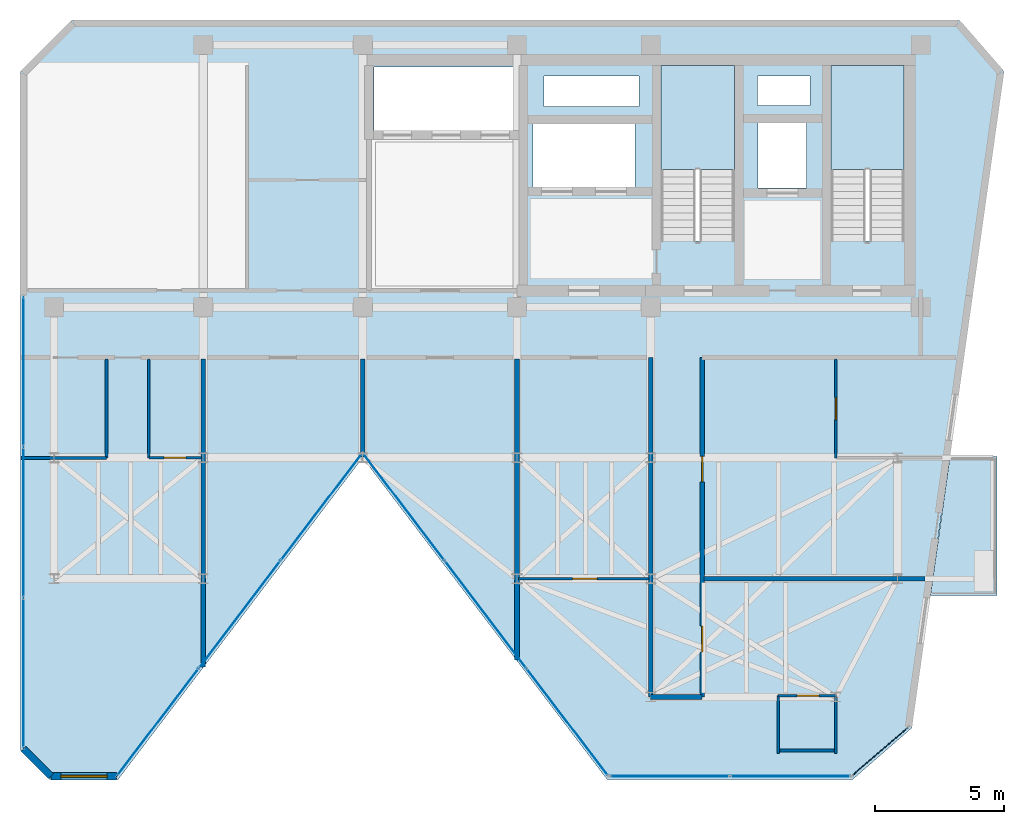
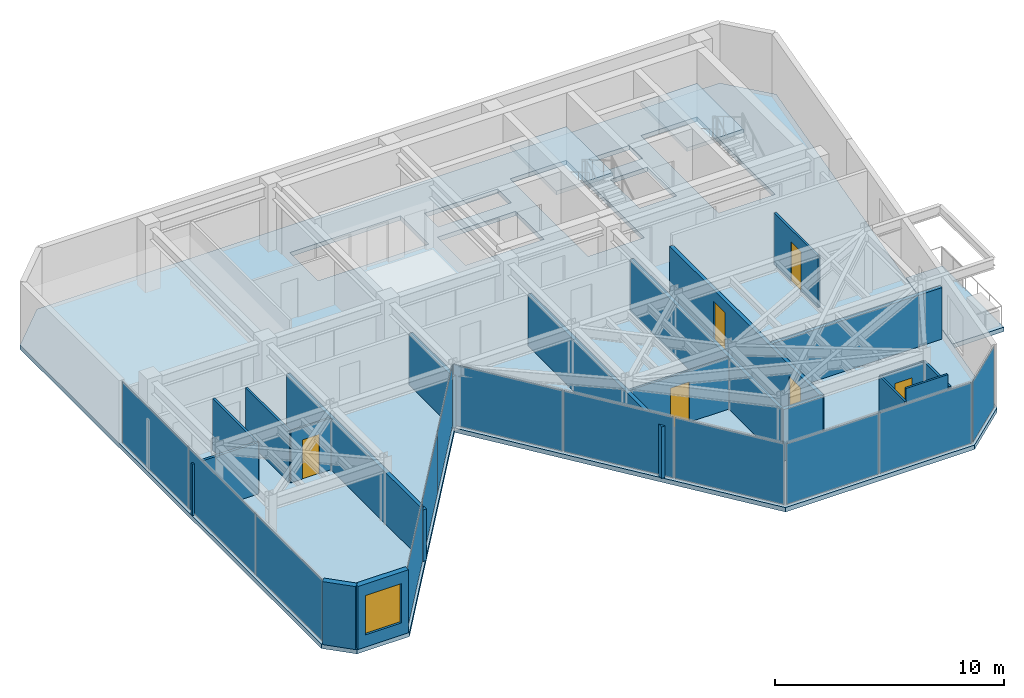
# One storey, part 13 of 17: 19 walls, 12 plates, 6 doors, 4 slabs, 1 window, 7 openings, 7 elements without a shape of their own.
"""IFC4 building model written with IfcOpenShell, lengths in metres."""

from ifc_helpers import new_model, si_unit, direction, frame, frame_2d, origin, origin_2d, place, context, subcontext, project, spatial, polyline, rectangle, outline, extrude, material, layer, layer_set, type_object, element, fill, aggregate, save


model = new_model("IFC4")

# Units and contexts
model_context = context("Model", 3, precision=1e-05, world=origin(), true_north=direction((0.0, 1.0)))
body_context = subcontext(model_context, "Body", "Model", "MODEL_VIEW")
ifc_project = project(units=[si_unit("LENGTHUNIT", "METRE"), si_unit("AREAUNIT", "SQUARE_METRE"), si_unit("VOLUMEUNIT", "CUBIC_METRE"), si_unit("PLANEANGLEUNIT", "RADIAN"), si_unit("MASSUNIT", "GRAM", prefix="KILO")], contexts=[model_context])

# Site, building, storey
site_placement = place(None, origin())
site = spatial("IfcSite", under=ifc_project, at=site_placement, CompositionType="ELEMENT")
building_placement = place(site_placement, origin())
building = spatial("IfcBuilding", under=site, at=building_placement, Name="Kravanh Interchange Tower", CompositionType="ELEMENT")
storey_placement = place(building_placement, frame((0.0, 0.0, 285.89990234375)))
storey = spatial("IfcBuildingStorey", under=building, at=storey_placement, Name="L70", CompositionType="ELEMENT", Elevation=285.89990234375)

# Curtain wall, plates
ifc_material_1 = material(Name="Anodised Bronze Aluminium", Category="aluminium")
ifc_layer_1 = layer(ifc_material_1, 0.179931640625)
ifc_layer_set_1 = layer_set([ifc_layer_1], Name="Unitised Curtain Wall System CW-HTL Luxury Hotel")
curtain_wall_type = type_object("IfcCurtainWallType", Name="Unitised Curtain Wall System CW-HTL Luxury Hotel", PredefinedType="NOTDEFINED", material=ifc_layer_set_1)
curtain_wall_1_placement = place(storey_placement, origin())
curtain_wall_1 = element("IfcCurtainWall", 1, at=curtain_wall_1_placement, inside=storey, type_object=curtain_wall_type, Name="L70 Unitised Curtain Wall CW-L70-01", PredefinedType="NOTDEFINED")
ifc_material_2 = material(Name="Low-E Laminated Architectural Glass", Category="glass")
ifc_layer_2 = layer(ifc_material_2, 0.030029296875)
ifc_layer_set_2 = layer_set([ifc_layer_2], Name="Acoustic Laminated Glazing 30mm")
plate_type = type_object("IfcPlateType", Name="Acoustic Laminated Glazing 30mm", PredefinedType="CURTAIN_PANEL", material=ifc_layer_set_2)
plate_1_placement = place(storey_placement, frame((31.6201171875, 23.1396484375, 0.06005859375), z_axis=(0.0, 0.0, 1.0), x_axis=(0.0, 1.0, 0.0)))
plate_1 = element("IfcPlate", 2, at=plate_1_placement, type_object=plate_type, Name="CW-HTL panel 1.1", PredefinedType="CURTAIN_PANEL", context=body_context, shape_type="SweptSolid", body=[
    extrude(rectangle(XDim=5.780029296875, YDim=0.030029296875, at=origin_2d()), origin(), (0.0, 0.0, 1.0), 3.2451171875),
])
plate_2_placement = place(storey_placement, frame((31.6201171875, 28.994873046875, 0.06005859375), z_axis=(0.0, 0.0, 1.0), x_axis=(0.0, 1.0, 0.0)))
plate_2 = element("IfcPlate", 3, at=plate_2_placement, type_object=plate_type, Name="CW-HTL panel 2.1", PredefinedType="CURTAIN_PANEL", context=body_context, shape_type="SweptSolid", body=[
    extrude(rectangle(XDim=5.81005859375, YDim=0.030029296875, at=origin_2d()), origin(), (0.0, 0.0, 1.0), 3.2451171875),
])
plate_3_placement = place(storey_placement, frame((31.6201171875, 34.849853515625, 0.06005859375), z_axis=(0.0, 0.0, 1.0), x_axis=(0.0, 1.0, 0.0)))
plate_3 = element("IfcPlate", 4, at=plate_3_placement, type_object=plate_type, Name="CW-HTL panel 3.1", PredefinedType="CURTAIN_PANEL", context=body_context, shape_type="SweptSolid", body=[
    extrude(rectangle(XDim=5.780029296875, YDim=0.030029296875, at=origin_2d()), origin(), (0.0, 0.0, 1.0), 3.2451171875),
])
aggregate(curtain_wall_1, [plate_1, plate_2, plate_3])

# Curtain wall, plate
curtain_wall_2_placement = place(storey_placement, origin())
curtain_wall_2 = element("IfcCurtainWall", 5, at=curtain_wall_2_placement, inside=storey, type_object=curtain_wall_type, Name="L70 Unitised Curtain Wall CW-L70-02", PredefinedType="NOTDEFINED")
plate_4_placement = place(storey_placement, frame((64.91455078125, 20.080810546875, 0.06005859375), z_axis=(0.0, 0.0, 1.0), x_axis=(-0.75473192521, -0.656033323139, 0.0)))
plate_4 = element("IfcPlate", 6, at=plate_4_placement, type_object=plate_type, Name="CW-HTL panel 1.1", PredefinedType="CURTAIN_PANEL", context=body_context, shape_type="SweptSolid", body=[
    extrude(rectangle(XDim=2.80908203125, YDim=0.030029296875, at=origin_2d()), origin(), (0.0, 0.0, 1.0), 3.2451171875),
])
aggregate(curtain_wall_2, [plate_4])

# Curtain wall, plates
curtain_wall_3_placement = place(storey_placement, origin())
curtain_wall_3 = element("IfcCurtainWall", 7, at=curtain_wall_3_placement, inside=storey, type_object=curtain_wall_type, Name="L70 Unitised Curtain Wall CW-L70-03", PredefinedType="NOTDEFINED")
plate_5_placement = place(storey_placement, frame((61.431640625, 19.1201171875, 0.06005859375), z_axis=(0.0, 0.0, 1.0), x_axis=(-1.0, 0.0, 0.0)))
plate_5 = element("IfcPlate", 8, at=plate_5_placement, type_object=plate_type, Name="CW-HTL panel 1.1", PredefinedType="CURTAIN_PANEL", context=body_context, shape_type="SweptSolid", body=[
    extrude(rectangle(XDim=4.634765625, YDim=0.030029296875, at=origin_2d()), origin(), (0.0, 0.0, 1.0), 3.2451171875),
])
plate_6_placement = place(storey_placement, frame((56.73681640625, 19.1201171875, 0.06005859375), z_axis=(0.0, 0.0, 1.0), x_axis=(-1.0, 0.0, 0.0)))
plate_6 = element("IfcPlate", 9, at=plate_6_placement, type_object=plate_type, Name="CW-HTL panel 2.1", PredefinedType="CURTAIN_PANEL", context=body_context, shape_type="SweptSolid", body=[
    extrude(rectangle(XDim=4.634765625, YDim=0.030029296875, at=origin_2d()), origin(), (0.0, 0.0, 1.0), 3.2451171875),
])
aggregate(curtain_wall_3, [plate_5, plate_6])

curtain_wall_4_placement = place(storey_placement, origin())
curtain_wall_4 = element("IfcCurtainWall", 10, at=curtain_wall_4_placement, inside=storey, type_object=curtain_wall_type, Name="L70 Unitised Curtain Wall CW-L70-04", PredefinedType="NOTDEFINED")
plate_7_placement = place(storey_placement, frame((52.757080078125, 21.228271484375, 0.06005859375), z_axis=(0.0, 0.0, 1.0), x_axis=(-0.605082946564, 0.79616243806, 0.0)))
plate_7 = element("IfcPlate", 11, at=plate_7_placement, type_object=plate_type, Name="CW-HTL panel 1.1", PredefinedType="CURTAIN_PANEL", context=body_context, shape_type="SweptSolid", body=[
    extrude(rectangle(XDim=5.17626953125, YDim=0.030029296875, at=origin_2d()), origin(), (0.0, 0.0, 1.0), 3.2451171875),
])
plate_8_placement = place(storey_placement, frame((49.579833984375, 25.4091796875, 0.06005859375), z_axis=(0.0, 0.0, 1.0), x_axis=(-0.605082946564, 0.79616243806, 0.0)))
plate_8 = element("IfcPlate", 12, at=plate_8_placement, type_object=plate_type, Name="CW-HTL panel 2.1", PredefinedType="CURTAIN_PANEL", context=body_context, shape_type="SweptSolid", body=[
    extrude(rectangle(XDim=5.206298828125, YDim=0.030029296875, at=origin_2d()), origin(), (0.0, 0.0, 1.0), 3.2451171875),
])
plate_9_placement = place(storey_placement, frame((46.40234375, 29.590087890625, 0.06005859375), z_axis=(0.0, 0.0, 1.0), x_axis=(-0.605082946564, 0.79616243806, 0.0)))
plate_9 = element("IfcPlate", 13, at=plate_9_placement, type_object=plate_type, Name="CW-HTL panel 3.1", PredefinedType="CURTAIN_PANEL", context=body_context, shape_type="SweptSolid", body=[
    extrude(rectangle(XDim=5.17626953125, YDim=0.030029296875, at=origin_2d()), origin(), (0.0, 0.0, 1.0), 3.2451171875),
])
aggregate(curtain_wall_4, [plate_7, plate_8, plate_9])

curtain_wall_5_placement = place(storey_placement, origin())
curtain_wall_5 = element("IfcCurtainWall", 14, at=curtain_wall_5_placement, inside=storey, type_object=curtain_wall_type, Name="L70 Unitised Curtain Wall CW-L70-05", PredefinedType="NOTDEFINED")
plate_10_placement = place(storey_placement, frame((43.19775390625, 29.590087890625, 0.06005859375), z_axis=(0.0, 0.0, 1.0), x_axis=(-0.605082946564, -0.79616243806, 0.0)))
plate_10 = element("IfcPlate", 15, at=plate_10_placement, type_object=plate_type, Name="CW-HTL panel 1.1", PredefinedType="CURTAIN_PANEL", context=body_context, shape_type="SweptSolid", body=[
    extrude(rectangle(XDim=5.17626953125, YDim=0.030029296875, at=origin_2d()), origin(), (0.0, 0.0, 1.0), 3.2451171875),
])
plate_11_placement = place(storey_placement, frame((40.020263671875, 25.4091796875, 0.06005859375), z_axis=(0.0, 0.0, 1.0), x_axis=(-0.605082946564, -0.79616243806, 0.0)))
plate_11 = element("IfcPlate", 16, at=plate_11_placement, type_object=plate_type, Name="CW-HTL panel 2.1", PredefinedType="CURTAIN_PANEL", context=body_context, shape_type="SweptSolid", body=[
    extrude(rectangle(XDim=5.206298828125, YDim=0.030029296875, at=origin_2d()), origin(), (0.0, 0.0, 1.0), 3.2451171875),
])
plate_12_placement = place(storey_placement, frame((36.8427734375, 21.228271484375, 0.06005859375), z_axis=(0.0, 0.0, 1.0), x_axis=(-0.605082946564, -0.79616243806, 0.0)))
plate_12 = element("IfcPlate", 17, at=plate_12_placement, type_object=plate_type, Name="CW-HTL panel 3.1", PredefinedType="CURTAIN_PANEL", context=body_context, shape_type="SweptSolid", body=[
    extrude(rectangle(XDim=5.17626953125, YDim=0.030029296875, at=origin_2d()), origin(), (0.0, 0.0, 1.0), 3.2451171875),
])
aggregate(curtain_wall_5, [plate_10, plate_11, plate_12])

# Slab
ifc_material_3 = material(Name="Concrete C50/60", Category="concrete")
ifc_layer_3 = layer(ifc_material_3, 0.235107421875)
ifc_layer_set_3 = layer_set([ifc_layer_3], Name="Composite Floor Slab Concrete C50/60 235mm")
slab_type_1 = type_object("IfcSlabType", Name="Composite Floor Slab Concrete C50/60 235mm", PredefinedType="FLOOR", material=ifc_layer_set_3)
slab_1_placement = place(storey_placement, frame((0.0, 0.0, -0.23486328125)))
element("IfcSlab", 18, at=slab_1_placement, inside=storey, type_object=slab_type_1, Name="L70 Structural Floor Slab", PredefinedType="FLOOR", context=body_context, shape_type="SweptSolid", body=[
    extrude(outline(polyline([(31.5, 20.139892578125), (32.639892578125, 19.0), (35.300048828125, 19.0), (44.800048828125, 31.5), (54.300048828125, 19.0), (63.85400390625, 19.0), (66.13232421875, 20.98046875), (69.7216796875, 46.51953125), (68.0, 48.5), (33.5, 48.5), (31.5, 46.5), (31.5, 20.139892578125)]), holes=[polyline([(65.85009765625, 39.925048828125), (65.85009765625, 46.75), (63.0, 46.75), (63.0, 39.925048828125), (65.85009765625, 39.925048828125)]), polyline([(59.25, 39.925048828125), (59.25, 46.75), (56.39990234375, 46.75), (56.39990234375, 39.925048828125), (59.25, 39.925048828125)]), polyline([(45.239990234375, 44.219970703125), (50.840087890625, 44.219970703125), (50.840087890625, 46.699951171875), (45.239990234375, 46.699951171875), (45.239990234375, 44.219970703125)]), polyline([(51.419921875, 42.02001953125), (55.3798828125, 42.02001953125), (55.3798828125, 44.47998046875), (51.419921875, 44.47998046875), (51.419921875, 42.02001953125)]), polyline([(60.179931640625, 41.97998046875), (62.06005859375, 41.97998046875), (62.06005859375, 44.52001953125), (60.179931640625, 44.52001953125), (60.179931640625, 41.97998046875)]), polyline([(60.14990234375, 45.199951171875), (62.199951171875, 45.199951171875), (62.199951171875, 46.35009765625), (60.14990234375, 46.35009765625), (60.14990234375, 45.199951171875)]), polyline([(51.85009765625, 45.14990234375), (55.550048828125, 45.14990234375), (55.550048828125, 46.35009765625), (51.85009765625, 46.35009765625), (51.85009765625, 45.14990234375)])]), origin(), (0.0, 0.0, 1.0), 0.23486328125),
])

# Stair, slab
ifc_material_4 = material(Name="Concrete C50/60", Category="concrete")
stair_type = type_object("IfcStairType", Name="Core Fire Exit Dogleg Stair Concrete C50/60", PredefinedType="HALF_TURN_STAIR", material=ifc_material_4)
stair_1_placement = place(storey_placement, origin())
stair_1 = element("IfcStair", 19, at=stair_1_placement, inside=storey, type_object=stair_type, Name="L70 Exit Stair ST1", PredefinedType="HALF_TURN_STAIR")
ifc_material_5 = material(Name="Concrete C50/60", Category="concrete")
ifc_layer_4 = layer(ifc_material_5, 0.199951171875)
ifc_layer_set_4 = layer_set([ifc_layer_4], Name="Concrete C50/60 Stair Half-Landing Slab 200mm")
slab_type_2 = type_object("IfcSlabType", Name="Concrete C50/60 Stair Half-Landing Slab 200mm", PredefinedType="LANDING", material=ifc_layer_set_4)
slab_2_placement = place(storey_placement, frame((0.0, 0.0, 1.60009765625)))
slab_2 = element("IfcSlab", 20, at=slab_2_placement, type_object=slab_type_2, Name="ST1 landing 1", PredefinedType="LANDING", context=body_context, shape_type="SweptSolid", body=[
    extrude(outline(polyline([(65.85009765625, 42.699951171875), (65.85009765625, 46.75), (63.0, 46.75), (63.0, 42.699951171875), (65.85009765625, 42.699951171875)])), origin(), (0.0, 0.0, 1.0), 0.199951171875),
])
aggregate(stair_1, [slab_2])

stair_2_placement = place(storey_placement, origin())
stair_2 = element("IfcStair", 21, at=stair_2_placement, inside=storey, type_object=stair_type, Name="L70 Exit Stair ST2", PredefinedType="HALF_TURN_STAIR")
slab_3_placement = place(storey_placement, frame((0.0, 0.0, 1.60009765625)))
slab_3 = element("IfcSlab", 22, at=slab_3_placement, type_object=slab_type_2, Name="ST2 landing 1", PredefinedType="LANDING", context=body_context, shape_type="SweptSolid", body=[
    extrude(outline(polyline([(59.25, 42.699951171875), (59.25, 46.75), (56.39990234375, 46.75), (56.39990234375, 42.699951171875), (59.25, 42.699951171875)])), origin(), (0.0, 0.0, 1.0), 0.199951171875),
])
aggregate(stair_2, [slab_3])

# Slab
ifc_material_6 = material(Name="Concrete C50/60", Category="concrete")
ifc_layer_5 = layer(ifc_material_6, 0.199951171875)
ifc_layer_set_5 = layer_set([ifc_layer_5], Name="Planted Tree Balcony Slab Concrete C50/60 200mm")
slab_type_3 = type_object("IfcSlabType", Name="Planted Tree Balcony Slab Concrete C50/60 200mm", PredefinedType="USERDEFINED", material=ifc_layer_set_5)
slab_4_placement = place(storey_placement, frame((0.0, 0.0, -0.23486328125)))
element("IfcSlab", 23, at=slab_4_placement, inside=storey, type_object=slab_type_3, Name="L70 East Tree Planter Balcony Slab", ObjectType="BALCONY", PredefinedType="USERDEFINED", context=body_context, shape_type="SweptSolid", body=[
    extrude(outline(polyline([(69.468017578125, 31.550048828125), (69.468017578125, 26.14990234375), (66.8740234375, 26.14990234375), (67.633056640625, 31.550048828125), (69.468017578125, 31.550048828125)])), origin(), (0.0, 0.0, 1.0), 0.23486328125),
])

# Walls
ifc_material_7 = material(Name="Double Acoustic Gypsum Board and Mineral Wool")
ifc_layer_6 = layer(ifc_material_7, 0.1201171875)
ifc_layer_set_6 = layer_set([ifc_layer_6], Name="Acoustic Office Drywall Partition 120mm")
wall_type_1 = type_object("IfcWallType", Name="Acoustic Office Drywall Partition 120mm", PredefinedType="PARTITIONING", material=ifc_layer_set_6)
wall_1_placement = place(storey_placement, frame((34.840087890625, 31.5, 0.0), z_axis=(0.0, 0.0, 1.0), x_axis=(0.0, 1.0, 0.0)))
element("IfcWall", 24, at=wall_1_placement, inside=storey, type_object=wall_type_1, Name="L70 Interior Partition 13", PredefinedType="PARTITIONING", context=body_context, shape_type="SweptSolid", body=[
    extrude(rectangle(XDim=3.83203125, YDim=0.1201171875, at=frame_2d((1.916015625, 0.0))), origin(), (0.0, 0.0, 1.0), 2.754150390625),
])
wall_2_placement = place(storey_placement, frame((31.514892578125, 31.5, 0.0), z_axis=(0.0, 0.0, 1.0), x_axis=(1.0, 0.0, 0.0)))
element("IfcWall", 25, at=wall_2_placement, inside=storey, type_object=wall_type_1, Name="L70 Interior Partition 14", PredefinedType="PARTITIONING", context=body_context, shape_type="SweptSolid", body=[
    extrude(rectangle(XDim=3.3251953125, YDim=0.1201171875, at=frame_2d((1.66259765625, 0.0))), origin(), (0.0, 0.0, 1.0), 2.754150390625),
])

# Wall, opening, door
ifc_material_8 = material(Name="Moisture-Resistant Gypsum Board and Mineral Wool")
ifc_layer_7 = layer(ifc_material_8, 0.10009765625)
ifc_layer_set_7 = layer_set([ifc_layer_7], Name="En-Suite Moisture-Resistant Partition 100mm")
wall_type_2 = type_object("IfcWallType", Name="En-Suite Moisture-Resistant Partition 100mm", PredefinedType="PARTITIONING", material=ifc_layer_set_7)
wall_3_placement = place(storey_placement, frame((60.949951171875, 22.25, 0.0), z_axis=(0.0, 0.0, 1.0), x_axis=(1.0, 0.0, 0.0)))
wall_3 = element("IfcWall", 26, at=wall_3_placement, inside=storey, type_object=wall_type_2, Name="L70 Interior Partition 16", PredefinedType="PARTITIONING", context=body_context, shape_type="SweptSolid", body=[
    extrude(rectangle(XDim=2.25, YDim=0.10009765625, at=frame_2d((1.125, 0.0))), origin(), (0.0, 0.0, 1.0), 2.754150390625),
])
opening_1_placement = place(wall_3_placement, frame((0.741455078125, 0.0, 0.0)))
opening_1 = element("IfcOpeningElement", 27, at=opening_1_placement, cuts=wall_3, Name="Opening D-85", PredefinedType="OPENING", context=body_context, shape_type="SweptSolid", body=[
    extrude(rectangle(XDim=0.85009765625, YDim=2.10009765625, at=frame_2d((0.425048828125, 1.050048828125))), frame((0.0, 0.06005859375, 0.0), z_axis=(0.0, -1.0, 0.0), x_axis=(1.0, 0.0, 0.0)), (0.0, 0.0, 1.0), 0.1201171875),
])
ifc_material_9 = material(Name="Engineered Teak Veneer Timber", Category="wood")
door_type_1 = type_object("IfcDoorType", Name="En-Suite Timber Door 850x2100", OperationType="NOTDEFINED", PredefinedType="DOOR", material=ifc_material_9)
door_1_placement = place(opening_1_placement, origin())
door_1 = element("IfcDoor", 28, at=door_1_placement, inside=storey, type_object=door_type_1, Name="L70 En-suite Bathroom Door", OperationType="SINGLE_SWING_LEFT", OverallHeight=2.10009765625, OverallWidth=0.85009765625, PredefinedType="DOOR", context=body_context, shape_type="SweptSolid", body=[
    extrude(rectangle(XDim=0.85009765625, YDim=2.10009765625, at=frame_2d((0.425048828125, 1.050048828125))), frame((0.0, 0.02490234375, 0.0), z_axis=(0.0, -1.0, 0.0), x_axis=(1.0, 0.0, 0.0)), (0.0, 0.0, 1.0), 0.050048828125),
])
fill(opening_1, door_1)

# Walls
for number, where, z_axis, x_axis, name in (
    (29, (60.949951171875, 20.0, 0.0), (0.0, 0.0, 1.0), (0.0, 1.0, 0.0), "L70 Interior Partition 17"),
    (30, (63.199951171875, 20.0, 0.0), (0.0, 0.0, 1.0), (0.0, 1.0, 0.0), "L70 Interior Partition 18"),
):
    element("IfcWall", number, at=place(storey_placement, frame(where, z_axis=z_axis, x_axis=x_axis)), inside=storey, type_object=wall_type_2, Name=name, PredefinedType="PARTITIONING", context=body_context, shape_type="SweptSolid", body=[
        extrude(rectangle(XDim=2.25, YDim=0.10009765625, at=frame_2d((1.125, 0.0))), origin(), (0.0, 0.0, 1.0), 2.754150390625),
    ])
wall_4_placement = place(storey_placement, frame((61.01806640625, 20.1201171875, 0.0), z_axis=(0.0, 0.0, 1.0), x_axis=(1.0, 0.0, 0.0)))
element("IfcWall", 31, at=wall_4_placement, inside=storey, type_object=wall_type_2, Name="L70 Interior Partition 19", PredefinedType="PARTITIONING", context=body_context, shape_type="SweptSolid", body=[
    extrude(rectangle(XDim=2.114013671875, YDim=0.10009765625, at=frame_2d((1.05712890625, 0.0))), origin(), (0.0, 0.0, 1.0), 3.364990234375),
])

# Wall, opening, door
wall_5_placement = place(storey_placement, frame((63.199951171875, 31.5, 0.0), z_axis=(0.0, 0.0, 1.0), x_axis=(0.0, 1.0, 0.0)))
wall_5 = element("IfcWall", 32, at=wall_5_placement, inside=storey, type_object=wall_type_2, Name="L70 Interior Partition 21", PredefinedType="PARTITIONING", context=body_context, shape_type="SweptSolid", body=[
    extrude(rectangle(XDim=3.83203125, YDim=0.10009765625, at=frame_2d((1.916015625, 0.0))), origin(), (0.0, 0.0, 1.0), 2.754150390625),
])
opening_2_placement = place(wall_5_placement, frame((1.48486328125, 0.0, 0.0)))
opening_2 = element("IfcOpeningElement", 33, at=opening_2_placement, cuts=wall_5, Name="Opening D-85", PredefinedType="OPENING", context=body_context, shape_type="SweptSolid", body=[
    extrude(rectangle(XDim=0.85009765625, YDim=2.10009765625, at=frame_2d((0.425048828125, 1.050048828125))), frame((0.0, 0.06005859375, 0.0), z_axis=(0.0, -1.0, 0.0), x_axis=(1.0, 0.0, 0.0)), (0.0, 0.0, 1.0), 0.1201171875),
])
door_2_placement = place(opening_2_placement, origin())
door_2 = element("IfcDoor", 34, at=door_2_placement, inside=storey, type_object=door_type_1, Name="L70 En-suite Bathroom Door", OperationType="SINGLE_SWING_LEFT", OverallHeight=2.10009765625, OverallWidth=0.85009765625, PredefinedType="DOOR", context=body_context, shape_type="SweptSolid", body=[
    extrude(rectangle(XDim=0.85009765625, YDim=2.10009765625, at=frame_2d((0.425048828125, 1.050048828125))), frame((0.0, 0.02490234375, 0.0), z_axis=(0.0, -1.0, 0.0), x_axis=(1.0, 0.0, 0.0)), (0.0, 0.0, 1.0), 0.050048828125),
])
fill(opening_2, door_2)

# Wall
wall_6_placement = place(storey_placement, frame((36.489990234375, 31.5, 0.0), z_axis=(0.0, 0.0, 1.0), x_axis=(0.0, 1.0, 0.0)))
element("IfcWall", 35, at=wall_6_placement, inside=storey, type_object=wall_type_2, Name="L70 Interior Partition 22", PredefinedType="PARTITIONING", context=body_context, shape_type="SweptSolid", body=[
    extrude(rectangle(XDim=3.83203125, YDim=0.10009765625, at=frame_2d((1.916015625, 0.0))), origin(), (0.0, 0.0, 1.0), 2.754150390625),
])

# Wall, opening, door
wall_7_placement = place(storey_placement, frame((36.489990234375, 31.5, 0.0), z_axis=(0.0, 0.0, 1.0), x_axis=(1.0, 0.0, 0.0)))
wall_7 = element("IfcWall", 36, at=wall_7_placement, inside=storey, type_object=wall_type_2, Name="L70 Interior Partition 23", PredefinedType="PARTITIONING", context=body_context, shape_type="SweptSolid", body=[
    extrude(rectangle(XDim=2.0419921875, YDim=0.10009765625, at=frame_2d((1.02099609375, 0.0))), origin(), (0.0, 0.0, 1.0), 2.754150390625),
])
opening_3_placement = place(wall_7_placement, frame((0.589111328125, 0.0, 0.0)))
opening_3 = element("IfcOpeningElement", 37, at=opening_3_placement, cuts=wall_7, Name="Opening D-85", PredefinedType="OPENING", context=body_context, shape_type="SweptSolid", body=[
    extrude(rectangle(XDim=0.85009765625, YDim=2.10009765625, at=frame_2d((0.425048828125, 1.050048828125))), frame((0.0, 0.06005859375, 0.0), z_axis=(0.0, -1.0, 0.0), x_axis=(1.0, 0.0, 0.0)), (0.0, 0.0, 1.0), 0.1201171875),
])
door_3_placement = place(opening_3_placement, origin())
door_3 = element("IfcDoor", 38, at=door_3_placement, inside=storey, type_object=door_type_1, Name="L70 En-suite Bathroom Door", OperationType="SINGLE_SWING_LEFT", OverallHeight=2.10009765625, OverallWidth=0.85009765625, PredefinedType="DOOR", context=body_context, shape_type="SweptSolid", body=[
    extrude(rectangle(XDim=0.85009765625, YDim=2.10009765625, at=frame_2d((0.425048828125, 1.050048828125))), frame((0.0, 0.02490234375, 0.0), z_axis=(0.0, -1.0, 0.0), x_axis=(1.0, 0.0, 0.0)), (0.0, 0.0, 1.0), 0.050048828125),
])
fill(opening_3, door_3)

wall_8_placement = place(storey_placement, frame((50.867919921875, 26.800048828125, 0.0), z_axis=(0.0, 0.0, 1.0), x_axis=(1.0, 0.0, 0.0)))
wall_8 = element("IfcWall", 39, at=wall_8_placement, inside=storey, type_object=wall_type_2, Name="L70 Interior Partition 27", PredefinedType="PARTITIONING", context=body_context, shape_type="SweptSolid", body=[
    extrude(rectangle(XDim=5.06396484375, YDim=0.10009765625, at=frame_2d((2.531982421875, 0.0))), origin(), (0.0, 0.0, 1.0), 2.754150390625),
])
opening_4_placement = place(wall_8_placement, frame((2.09716796875, 0.0, 0.0)))
opening_4 = element("IfcOpeningElement", 40, at=opening_4_placement, cuts=wall_8, Name="Opening D-95", PredefinedType="OPENING", context=body_context, shape_type="SweptSolid", body=[
    extrude(rectangle(XDim=0.949951171875, YDim=2.14990234375, at=frame_2d((0.47509765625, 1.074951171875))), frame((0.0, 0.06005859375, 0.0), z_axis=(0.0, -1.0, 0.0), x_axis=(1.0, 0.0, 0.0)), (0.0, 0.0, 1.0), 0.1201171875),
])
ifc_material_10 = material(Name="Laminate Solid-Core Timber", Category="wood")
door_type_2 = type_object("IfcDoorType", Name="Accessible Restroom Door 950x2150", OperationType="NOTDEFINED", PredefinedType="DOOR", material=ifc_material_10)
door_4_placement = place(opening_4_placement, origin())
door_4 = element("IfcDoor", 41, at=door_4_placement, inside=storey, type_object=door_type_2, Name="L70 Sunroom Alcove Inner Door", OperationType="SINGLE_SWING_RIGHT", OverallHeight=2.14990234375, OverallWidth=0.949951171875, PredefinedType="DOOR", context=body_context, shape_type="SweptSolid", body=[
    extrude(rectangle(XDim=0.949951171875, YDim=2.14990234375, at=frame_2d((0.47509765625, 1.074951171875))), frame((0.0, 0.02490234375, 0.0), z_axis=(0.0, -1.0, 0.0), x_axis=(1.0, 0.0, 0.0)), (0.0, 0.0, 1.0), 0.050048828125),
])
fill(opening_4, door_4)

# Wall, opening, window
ifc_material_11 = material(Name="Insulated Precast Concrete C40/50 with Bronze Cladding", Category="concrete")
ifc_layer_8 = layer(ifc_material_11, 0.280029296875)
ifc_layer_set_8 = layer_set([ifc_layer_8], Name="Exterior Insulated Concrete C40/50 Bronze Spandrel Wall 280mm")
wall_type_3 = type_object("IfcWallType", Name="Exterior Insulated Concrete C40/50 Bronze Spandrel Wall 280mm", PredefinedType="STANDARD", material=ifc_layer_set_8)
wall_9_placement = place(storey_placement, frame((35.240478515625, 19.1201171875, 0.0), z_axis=(0.0, 0.0, 1.0), x_axis=(-1.0, 0.0, 0.0)))
wall_9 = element("IfcWall", 42, at=wall_9_placement, inside=storey, type_object=wall_type_3, Name="L70 Exterior Wall 7", PredefinedType="STANDARD", context=body_context, shape_type="SweptSolid", body=[
    extrude(rectangle(XDim=2.55078125, YDim=0.280029296875, at=frame_2d((1.275390625, 0.0))), origin(), (0.0, 0.0, 1.0), 3.364990234375),
])
opening_5_placement = place(wall_9_placement, frame((0.369873046875, 0.0, 0.64990234375)))
opening_5 = element("IfcOpeningElement", 43, at=opening_5_placement, cuts=wall_9, Name="Opening WN-180X210", PredefinedType="OPENING", context=body_context, shape_type="SweptSolid", body=[
    extrude(rectangle(XDim=1.800048828125, YDim=2.10009765625, at=frame_2d((0.89990234375, 1.050048828125))), frame((0.0, 0.14990234375, 0.0), z_axis=(0.0, -1.0, 0.0), x_axis=(1.0, 0.0, 0.0)), (0.0, 0.0, 1.0), 0.300048828125),
])
ifc_material_12 = material(Name="Thermally Broken Bronze Aluminium and Low-E Glass", Category="aluminium")
window_type = type_object("IfcWindowType", Name="Tower Pier Window 1800x2100", PartitioningType="SINGLE_PANEL", PredefinedType="WINDOW", material=ifc_material_12)
window_placement = place(opening_5_placement, origin())
window = element("IfcWindow", 44, at=window_placement, inside=storey, type_object=window_type, Name="L70 Corner Window 7", OverallHeight=2.10009765625, OverallWidth=1.800048828125, PartitioningType="SINGLE_PANEL", PredefinedType="WINDOW", context=body_context, shape_type="SweptSolid", body=[
    extrude(rectangle(XDim=1.800048828125, YDim=2.10009765625, at=frame_2d((0.89990234375, 1.050048828125))), frame((0.0, 0.030029296875, 0.0), z_axis=(0.0, -1.0, 0.0), x_axis=(1.0, 0.0, 0.0)), (0.0, 0.0, 1.0), 0.06005859375),
])
fill(opening_5, window)

# Walls
wall_10_placement = place(storey_placement, frame((32.689697265625, 19.1201171875, 0.0), z_axis=(0.0, 0.0, 1.0), x_axis=(-0.707106781187, 0.707106781187, 0.0)))
element("IfcWall", 45, at=wall_10_placement, inside=storey, type_object=wall_type_3, Name="L70 Exterior Wall 8", PredefinedType="STANDARD", context=body_context, shape_type="SweptSolid", body=[
    extrude(rectangle(XDim=1.5126953125, YDim=0.280029296875, at=frame_2d((0.75634765625, 0.0))), origin(), (0.0, 0.0, 1.0), 3.364990234375),
])
ifc_material_13 = material(Name="Autoclaved Aerated Concrete C30/37 Blockwork", Category="masonry")
ifc_layer_9 = layer(ifc_material_13, 0.179931640625)
ifc_layer_set_9 = layer_set([ifc_layer_9], Name="Fire-Rated Lobby and Corridor Wall Concrete C30/37 180mm")
wall_type_4 = type_object("IfcWallType", Name="Fire-Rated Lobby and Corridor Wall Concrete C30/37 180mm", PredefinedType="STANDARD", material=ifc_layer_set_9)
wall_11_placement = place(storey_placement, frame((56.0, 22.199951171875, 0.0), z_axis=(0.0, 0.0, 1.0), x_axis=(0.0, 1.0, 0.0)))
element("IfcWall", 46, at=wall_11_placement, inside=storey, type_object=wall_type_4, Name="L70 Interior Partition 10", PredefinedType="STANDARD", context=body_context, shape_type="SweptSolid", body=[
    extrude(rectangle(XDim=13.199951171875, YDim=0.179931640625, at=frame_2d((6.60009765625, 0.0))), origin(), (0.0, 0.0, 1.0), 2.754150390625),
])

# Wall, openings, doors
wall_12_placement = place(storey_placement, frame((58.0, 22.199951171875, 0.0), z_axis=(0.0, 0.0, 1.0), x_axis=(0.0, 1.0, 0.0)))
wall_12 = element("IfcWall", 47, at=wall_12_placement, inside=storey, type_object=wall_type_4, Name="L70 Interior Partition 11", PredefinedType="STANDARD", context=body_context, shape_type="SweptSolid", body=[
    extrude(rectangle(XDim=13.199951171875, YDim=0.179931640625, at=frame_2d((6.60009765625, 0.0))), origin(), (0.0, 0.0, 1.0), 2.754150390625),
])
opening_6_placement = place(wall_12_placement, frame((1.759521484375, 0.0, 0.0)))
opening_6 = element("IfcOpeningElement", 48, at=opening_6_placement, cuts=wall_12, Name="Opening D-HOTEL-100", PredefinedType="OPENING", context=body_context, shape_type="SweptSolid", body=[
    extrude(rectangle(XDim=1.0, YDim=2.14990234375, at=frame_2d((0.5, 1.074951171875))), frame((0.0, 0.10009765625, 0.0), z_axis=(0.0, -1.0, 0.0), x_axis=(1.0, 0.0, 0.0)), (0.0, 0.0, 1.0), 0.199951171875),
])
opening_7_placement = place(wall_12_placement, frame((8.35986328125, 0.0, 0.0)))
opening_7 = element("IfcOpeningElement", 49, at=opening_7_placement, cuts=wall_12, Name="Opening D-HOTEL-100", PredefinedType="OPENING", context=body_context, shape_type="SweptSolid", body=[
    extrude(rectangle(XDim=1.0, YDim=2.14990234375, at=frame_2d((0.5, 1.074951171875))), frame((0.0, 0.10009765625, 0.0), z_axis=(0.0, -1.0, 0.0), x_axis=(1.0, 0.0, 0.0)), (0.0, 0.0, 1.0), 0.199951171875),
])
ifc_material_14 = material(Name="Fire-Rated Solid Timber Leaf", Category="wood")
door_type_3 = type_object("IfcDoorType", Name="Fire-Rated Suite Entrance Door 1000x2150", OperationType="NOTDEFINED", PredefinedType="DOOR", material=ifc_material_14)
door_5_placement = place(opening_6_placement, origin())
door_5 = element("IfcDoor", 50, at=door_5_placement, inside=storey, type_object=door_type_3, Name="L70 Corner Panorama Hotel Suite Entrance Door", OperationType="SINGLE_SWING_RIGHT", OverallHeight=2.14990234375, OverallWidth=1.0, PredefinedType="DOOR", context=body_context, shape_type="SweptSolid", body=[
    extrude(rectangle(XDim=1.0, YDim=2.14990234375, at=frame_2d((0.5, 1.074951171875))), frame((0.0, 0.02490234375, 0.0), z_axis=(0.0, -1.0, 0.0), x_axis=(1.0, 0.0, 0.0)), (0.0, 0.0, 1.0), 0.050048828125),
])
fill(opening_6, door_5)
door_6_placement = place(opening_7_placement, origin())
door_6 = element("IfcDoor", 51, at=door_6_placement, inside=storey, type_object=door_type_3, Name="L70 Hotel Guest Room East Entrance Door", OperationType="SINGLE_SWING_RIGHT", OverallHeight=2.14990234375, OverallWidth=1.0, PredefinedType="DOOR", context=body_context, shape_type="SweptSolid", body=[
    extrude(rectangle(XDim=1.0, YDim=2.14990234375, at=frame_2d((0.5, 1.074951171875))), frame((0.0, 0.02490234375, 0.0), z_axis=(0.0, -1.0, 0.0), x_axis=(1.0, 0.0, 0.0)), (0.0, 0.0, 1.0), 0.050048828125),
])
fill(opening_7, door_6)

# Walls
wall_13_placement = place(storey_placement, frame((56.0, 22.199951171875, 0.0), z_axis=(0.0, 0.0, 1.0), x_axis=(1.0, 0.0, 0.0)))
element("IfcWall", 52, at=wall_13_placement, inside=storey, type_object=wall_type_4, Name="L70 Interior Partition 12", PredefinedType="STANDARD", context=body_context, shape_type="SweptSolid", body=[
    extrude(rectangle(XDim=2.0, YDim=0.179931640625, at=frame_2d((1.0, 0.0))), origin(), (0.0, 0.0, 1.0), 2.754150390625),
])
wall_14_placement = place(storey_placement, frame((58.068115234375, 26.800048828125, 0.0), z_axis=(0.0, 0.0, 1.0), x_axis=(1.0, 0.0, 0.0)))
element("IfcWall", 53, at=wall_14_placement, inside=storey, type_object=wall_type_4, Name="L70 Interior Partition 15", PredefinedType="STANDARD", context=body_context, shape_type="SweptSolid", body=[
    extrude(rectangle(XDim=8.594482421875, YDim=0.179931640625, at=frame_2d((4.29736328125, 0.0))), origin(), (0.0, 0.0, 1.0), 2.754150390625),
])
wall_15_placement = place(storey_placement, frame((38.60009765625, 23.366943359375, 0.0), z_axis=(0.0, 0.0, 1.0), x_axis=(0.0, 1.0, 0.0)))
element("IfcWall", 54, at=wall_15_placement, inside=storey, type_object=wall_type_4, Name="L70 Interior Partition 24", PredefinedType="STANDARD", context=body_context, shape_type="SweptSolid", body=[
    extrude(rectangle(XDim=11.965087890625, YDim=0.179931640625, at=frame_2d((5.982421875, 0.0))), origin(), (0.0, 0.0, 1.0), 2.754150390625),
])
wall_16_placement = place(storey_placement, frame((44.800048828125, 31.52490234375, 0.0), z_axis=(0.0, 0.0, 1.0), x_axis=(0.0, 1.0, 0.0)))
element("IfcWall", 55, at=wall_16_placement, inside=storey, type_object=wall_type_4, Name="L70 Interior Partition 25", PredefinedType="STANDARD", context=body_context, shape_type="SweptSolid", body=[
    extrude(rectangle(XDim=3.80712890625, YDim=0.179931640625, at=frame_2d((1.903564453125, 0.0))), origin(), (0.0, 0.0, 1.0), 2.754150390625),
])
wall_17_placement = place(storey_placement, frame((50.800048828125, 23.630126953125, 0.0), z_axis=(0.0, 0.0, 1.0), x_axis=(0.0, 1.0, 0.0)))
element("IfcWall", 56, at=wall_17_placement, inside=storey, type_object=wall_type_4, Name="L70 Interior Partition 26", PredefinedType="STANDARD", context=body_context, shape_type="SweptSolid", body=[
    extrude(rectangle(XDim=11.701904296875, YDim=0.179931640625, at=frame_2d((5.85107421875, 0.0))), origin(), (0.0, 0.0, 1.0), 2.754150390625),
])

save(model, "model.ifc")
